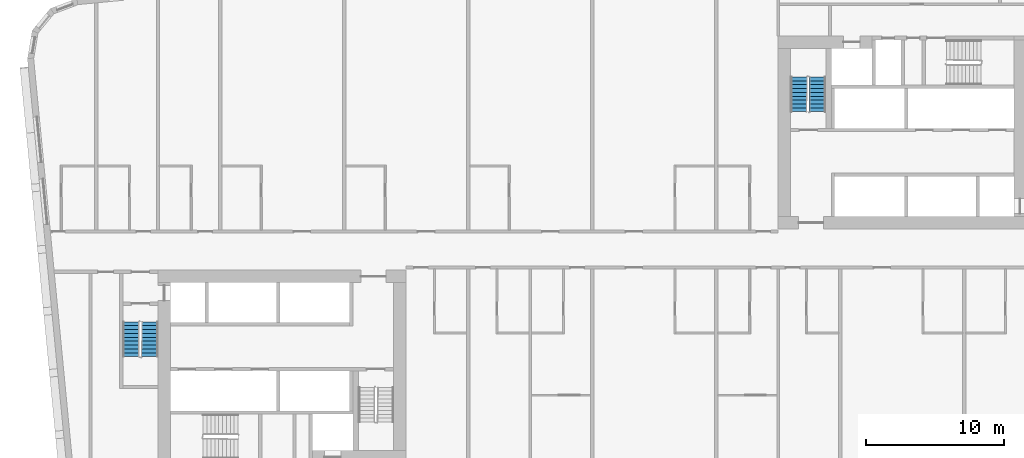
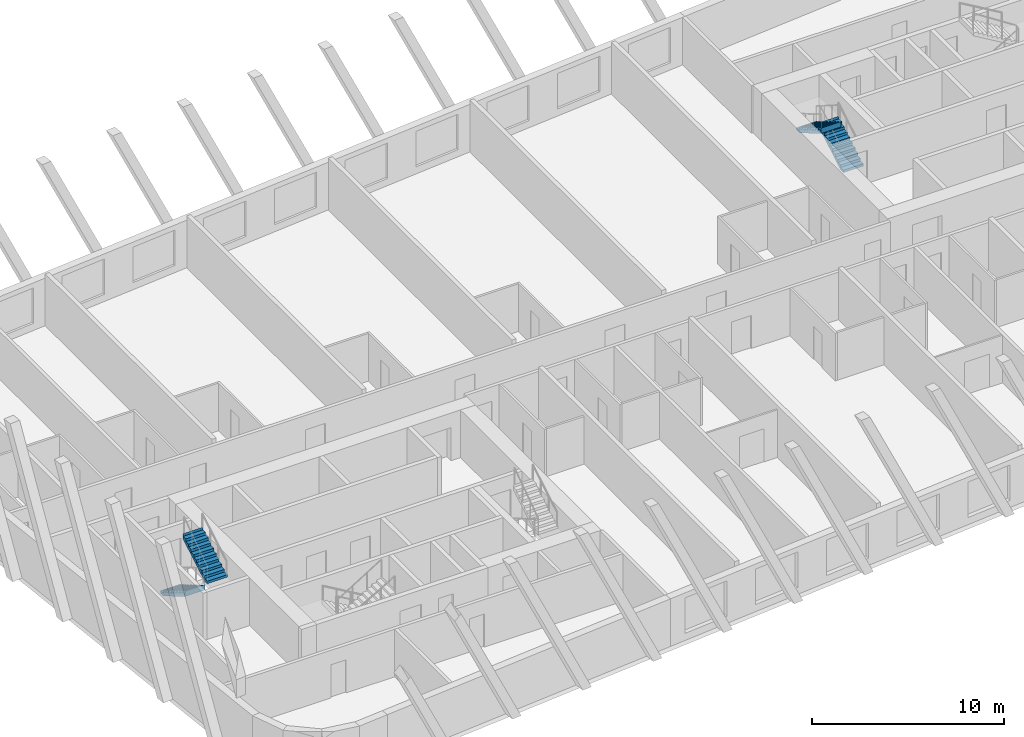
# One storey, part 10 of 13: 4 stair flights, 2 elements without a shape of their own.
"""IFC4 building model written with IfcOpenShell, lengths in metres."""

from ifc_helpers import new_model, si_unit, direction, frame, origin, place, context, subcontext, project, spatial, faceted_brep, material, type_object, element, aggregate, save


model = new_model("IFC4")

# Units and contexts
model_context = context("Model", 3, precision=1e-05, world=origin(), true_north=direction((0.0, 1.0)))
body_context = subcontext(model_context, "Body", "Model", "MODEL_VIEW")
ifc_project = project(units=[si_unit("LENGTHUNIT", "METRE"), si_unit("AREAUNIT", "SQUARE_METRE"), si_unit("VOLUMEUNIT", "CUBIC_METRE"), si_unit("PLANEANGLEUNIT", "RADIAN"), si_unit("MASSUNIT", "GRAM", prefix="KILO")], contexts=[model_context])

# Site, building, storey
site_placement = place(None, origin())
site = spatial("IfcSite", under=ifc_project, at=site_placement, CompositionType="ELEMENT")
building_placement = place(site_placement, origin())
building = spatial("IfcBuilding", under=site, at=building_placement, Name="Kajstack Hotel Tower", CompositionType="ELEMENT")
storey_placement = place(building_placement, frame((0.0, 0.0, 110.800048828125)))
storey = spatial("IfcBuildingStorey", under=building, at=storey_placement, Name="L23", CompositionType="ELEMENT", Elevation=110.800048828125)

# Stair, stair flights
ifc_material = material(Name="Concrete C40/50", Category="concrete")
stair_type = type_object("IfcStairType", Name="Exit stair 1200", PredefinedType="HALF_TURN_STAIR", material=ifc_material)
stair_1_placement = place(storey_placement, origin())
stair_1 = element("IfcStair", 1, at=stair_1_placement, inside=storey, type_object=stair_type, Name="L23 stair W1", PredefinedType="HALF_TURN_STAIR")
stair_flight_type = type_object("IfcStairFlightType", Name="Exit stair flight 1200", PredefinedType="STRAIGHT", material=ifc_material)
stair_flight_1_placement = place(storey_placement, frame((-33.449951171875, -5.25, 0.0), z_axis=(0.0, 0.0, 1.0), x_axis=(0.0, -1.0, 0.0)))
stair_flight_1 = element("IfcStairFlight", 2, at=stair_flight_1_placement, type_object=stair_flight_type, Name="W1 flight 1", NumberOfRisers=10, NumberOfTreads=9, PredefinedType="STRAIGHT", RiserHeight=0.165, TreadLength=0.28, context=body_context, shape_type="Brep", body=[
    faceted_brep([(0.295654296875, -0.60009765625, 0.0), (2.5205078125, -0.60009765625, 1.31103515625), (2.5205078125, -0.60009765625, 1.64990234375), (2.52001953125, -0.60009765625, 1.64990234375), (2.52001953125, -0.60009765625, 1.485107421875), (2.239990234375, -0.60009765625, 1.485107421875), (2.239990234375, -0.60009765625, 1.320068359375), (1.9599609375, -0.60009765625, 1.320068359375), (1.9599609375, -0.60009765625, 1.155029296875), (1.679931640625, -0.60009765625, 1.155029296875), (1.679931640625, -0.60009765625, 0.989990234375), (1.39990234375, -0.60009765625, 0.989990234375), (1.39990234375, -0.60009765625, 0.824951171875), (1.1201171875, -0.60009765625, 0.824951171875), (1.1201171875, -0.60009765625, 0.659912109375), (0.840087890625, -0.60009765625, 0.659912109375), (0.840087890625, -0.60009765625, 0.4951171875), (0.56005859375, -0.60009765625, 0.4951171875), (0.56005859375, -0.60009765625, 0.330078125), (0.280029296875, -0.60009765625, 0.330078125), (0.280029296875, -0.60009765625, 0.1650390625), (-0.00048828125, -0.60009765625, 0.1650390625), (-0.00048828125, -0.60009765625, 0.0), (-0.00048828125, 0.60009765625, 0.0), (-0.00048828125, 0.60009765625, 0.1650390625), (0.280029296875, 0.60009765625, 0.1650390625), (0.280029296875, 0.60009765625, 0.330078125), (0.56005859375, 0.60009765625, 0.330078125), (0.56005859375, 0.60009765625, 0.4951171875), (0.840087890625, 0.60009765625, 0.4951171875), (0.840087890625, 0.60009765625, 0.659912109375), (1.1201171875, 0.60009765625, 0.659912109375), (1.1201171875, 0.60009765625, 0.824951171875), (1.39990234375, 0.60009765625, 0.824951171875), (1.39990234375, 0.60009765625, 0.989990234375), (1.679931640625, 0.60009765625, 0.989990234375), (1.679931640625, 0.60009765625, 1.155029296875), (1.9599609375, 0.60009765625, 1.155029296875), (1.9599609375, 0.60009765625, 1.320068359375), (2.239990234375, 0.60009765625, 1.320068359375), (2.239990234375, 0.60009765625, 1.485107421875), (2.52001953125, 0.60009765625, 1.485107421875), (2.52001953125, 0.60009765625, 1.64990234375), (2.5205078125, 0.60009765625, 1.64990234375), (2.5205078125, 0.60009765625, 1.31103515625), (0.295654296875, 0.60009765625, 0.0), (-0.00048828125, -0.300048828125, 0.1650390625), (-0.00048828125, 0.0, 0.1650390625), (-0.00048828125, 0.300048828125, 0.1650390625), (-0.00048828125, 0.300048828125, 0.0), (-0.00048828125, 0.0, 0.0), (-0.00048828125, -0.300048828125, 0.0), (0.280029296875, -0.300048828125, 0.1650390625), (0.280029296875, 0.0, 0.1650390625), (0.280029296875, 0.300048828125, 0.1650390625), (0.280029296875, -0.300048828125, 0.330078125), (0.280029296875, 0.0, 0.330078125), (0.280029296875, 0.300048828125, 0.330078125), (0.56005859375, -0.300048828125, 0.330078125), (0.56005859375, 0.0, 0.330078125), (0.56005859375, 0.300048828125, 0.330078125), (0.56005859375, -0.300048828125, 0.4951171875), (0.56005859375, 0.0, 0.4951171875), (0.56005859375, 0.300048828125, 0.4951171875), (0.840087890625, -0.300048828125, 0.4951171875), (0.840087890625, 0.0, 0.4951171875), (0.840087890625, 0.300048828125, 0.4951171875), (0.840087890625, -0.300048828125, 0.659912109375), (0.840087890625, 0.0, 0.659912109375), (0.840087890625, 0.300048828125, 0.659912109375), (1.1201171875, -0.300048828125, 0.659912109375), (1.1201171875, 0.0, 0.659912109375), (1.1201171875, 0.300048828125, 0.659912109375), (1.1201171875, -0.300048828125, 0.824951171875), (1.1201171875, 0.0, 0.824951171875), (1.1201171875, 0.300048828125, 0.824951171875), (1.39990234375, -0.300048828125, 0.824951171875), (1.39990234375, 0.0, 0.824951171875), (1.39990234375, 0.300048828125, 0.824951171875), (1.39990234375, -0.300048828125, 0.989990234375), (1.39990234375, 0.0, 0.989990234375), (1.39990234375, 0.300048828125, 0.989990234375), (1.679931640625, -0.300048828125, 0.989990234375), (1.679931640625, 0.0, 0.989990234375), (1.679931640625, 0.300048828125, 0.989990234375), (1.679931640625, -0.300048828125, 1.155029296875), (1.679931640625, 0.0, 1.155029296875), (1.679931640625, 0.300048828125, 1.155029296875), (1.9599609375, -0.300048828125, 1.155029296875), (1.9599609375, 0.0, 1.155029296875), (1.9599609375, 0.300048828125, 1.155029296875), (1.9599609375, -0.300048828125, 1.320068359375), (1.9599609375, 0.0, 1.320068359375), (1.9599609375, 0.300048828125, 1.320068359375), (2.239990234375, -0.300048828125, 1.320068359375), (2.239990234375, 0.0, 1.320068359375), (2.239990234375, 0.300048828125, 1.320068359375), (2.239990234375, -0.300048828125, 1.485107421875), (2.239990234375, 0.0, 1.485107421875), (2.239990234375, 0.300048828125, 1.485107421875), (2.52001953125, -0.300048828125, 1.485107421875), (2.52001953125, 0.0, 1.485107421875), (2.52001953125, 0.300048828125, 1.485107421875), (2.52001953125, -0.300048828125, 1.64990234375), (2.52001953125, 0.0, 1.64990234375), (2.52001953125, 0.300048828125, 1.64990234375), (2.5205078125, -0.300048828125, 1.64990234375), (2.5205078125, 0.0, 1.64990234375), (2.5205078125, 0.300048828125, 1.64990234375), (2.5205078125, -0.300048828125, 1.31103515625), (2.5205078125, 0.0, 1.31103515625), (2.5205078125, 0.300048828125, 1.31103515625), (0.295654296875, -0.300048828125, 0.0), (0.295654296875, 0.0, 0.0), (0.295654296875, 0.300048828125, 0.0)], [[[0, 1, 2, 3, 4, 5, 6, 7, 8, 9, 10, 11, 12, 13, 14, 15, 16, 17, 18, 19, 20, 21, 22]], [[23, 24, 25, 26, 27, 28, 29, 30, 31, 32, 33, 34, 35, 36, 37, 38, 39, 40, 41, 42, 43, 44, 45]], [[21, 46, 47, 48, 24, 23, 49, 50, 51, 22]], [[20, 52, 53, 54, 25, 24, 48, 47, 46, 21]], [[19, 55, 56, 57, 26, 25, 54, 53, 52, 20]], [[18, 58, 59, 60, 27, 26, 57, 56, 55, 19]], [[17, 61, 62, 63, 28, 27, 60, 59, 58, 18]], [[16, 64, 65, 66, 29, 28, 63, 62, 61, 17]], [[15, 67, 68, 69, 30, 29, 66, 65, 64, 16]], [[14, 70, 71, 72, 31, 30, 69, 68, 67, 15]], [[13, 73, 74, 75, 32, 31, 72, 71, 70, 14]], [[12, 76, 77, 78, 33, 32, 75, 74, 73, 13]], [[11, 79, 80, 81, 34, 33, 78, 77, 76, 12]], [[10, 82, 83, 84, 35, 34, 81, 80, 79, 11]], [[9, 85, 86, 87, 36, 35, 84, 83, 82, 10]], [[8, 88, 89, 90, 37, 36, 87, 86, 85, 9]], [[7, 91, 92, 93, 38, 37, 90, 89, 88, 8]], [[6, 94, 95, 96, 39, 38, 93, 92, 91, 7]], [[5, 97, 98, 99, 40, 39, 96, 95, 94, 6]], [[4, 100, 101, 102, 41, 40, 99, 98, 97, 5]], [[3, 103, 104, 105, 42, 41, 102, 101, 100, 4]], [[2, 106, 107, 108, 43, 42, 105, 104, 103, 3]], [[1, 109, 110, 111, 44, 43, 108, 107, 106, 2]], [[0, 112, 113, 114, 45, 44, 111, 110, 109, 1]], [[22, 51, 50, 49, 23, 45, 114, 113, 112, 0]]]),
])
stair_flight_2_placement = place(storey_placement, frame((-32.10009765625, -7.77001953125, 1.64990234375), z_axis=(0.0, 0.0, 1.0), x_axis=(0.0, 1.0, 0.0)))
stair_flight_2 = element("IfcStairFlight", 3, at=stair_flight_2_placement, type_object=stair_flight_type, Name="W1 flight 2", NumberOfRisers=10, NumberOfTreads=9, PredefinedType="STRAIGHT", RiserHeight=0.165, TreadLength=0.28, context=body_context, shape_type="Brep", body=[
    faceted_brep([(0.295654296875, -0.60009765625, 0.0), (2.5205078125, -0.60009765625, 1.31103515625), (2.5205078125, -0.60009765625, 1.64990234375), (2.52001953125, -0.60009765625, 1.64990234375), (2.52001953125, -0.60009765625, 1.485107421875), (2.239990234375, -0.60009765625, 1.485107421875), (2.239990234375, -0.60009765625, 1.320068359375), (1.9599609375, -0.60009765625, 1.320068359375), (1.9599609375, -0.60009765625, 1.155029296875), (1.679931640625, -0.60009765625, 1.155029296875), (1.679931640625, -0.60009765625, 0.989990234375), (1.39990234375, -0.60009765625, 0.989990234375), (1.39990234375, -0.60009765625, 0.824951171875), (1.1201171875, -0.60009765625, 0.824951171875), (1.1201171875, -0.60009765625, 0.659912109375), (0.840087890625, -0.60009765625, 0.659912109375), (0.840087890625, -0.60009765625, 0.4951171875), (0.56005859375, -0.60009765625, 0.4951171875), (0.56005859375, -0.60009765625, 0.330078125), (0.280029296875, -0.60009765625, 0.330078125), (0.280029296875, -0.60009765625, 0.1650390625), (-0.00048828125, -0.60009765625, 0.1650390625), (-0.00048828125, -0.60009765625, 0.0), (-0.00048828125, 0.60009765625, 0.0), (-0.00048828125, 0.60009765625, 0.1650390625), (0.280029296875, 0.60009765625, 0.1650390625), (0.280029296875, 0.60009765625, 0.330078125), (0.56005859375, 0.60009765625, 0.330078125), (0.56005859375, 0.60009765625, 0.4951171875), (0.840087890625, 0.60009765625, 0.4951171875), (0.840087890625, 0.60009765625, 0.659912109375), (1.1201171875, 0.60009765625, 0.659912109375), (1.1201171875, 0.60009765625, 0.824951171875), (1.39990234375, 0.60009765625, 0.824951171875), (1.39990234375, 0.60009765625, 0.989990234375), (1.679931640625, 0.60009765625, 0.989990234375), (1.679931640625, 0.60009765625, 1.155029296875), (1.9599609375, 0.60009765625, 1.155029296875), (1.9599609375, 0.60009765625, 1.320068359375), (2.239990234375, 0.60009765625, 1.320068359375), (2.239990234375, 0.60009765625, 1.485107421875), (2.52001953125, 0.60009765625, 1.485107421875), (2.52001953125, 0.60009765625, 1.64990234375), (2.5205078125, 0.60009765625, 1.64990234375), (2.5205078125, 0.60009765625, 1.31103515625), (0.295654296875, 0.60009765625, 0.0), (-0.00048828125, -0.300048828125, 0.1650390625), (-0.00048828125, 0.0, 0.1650390625), (-0.00048828125, 0.300048828125, 0.1650390625), (-0.00048828125, 0.300048828125, 0.0), (-0.00048828125, 0.0, 0.0), (-0.00048828125, -0.300048828125, 0.0), (0.280029296875, -0.300048828125, 0.1650390625), (0.280029296875, 0.0, 0.1650390625), (0.280029296875, 0.300048828125, 0.1650390625), (0.280029296875, -0.300048828125, 0.330078125), (0.280029296875, 0.0, 0.330078125), (0.280029296875, 0.300048828125, 0.330078125), (0.56005859375, -0.300048828125, 0.330078125), (0.56005859375, 0.0, 0.330078125), (0.56005859375, 0.300048828125, 0.330078125), (0.56005859375, -0.300048828125, 0.4951171875), (0.56005859375, 0.0, 0.4951171875), (0.56005859375, 0.300048828125, 0.4951171875), (0.840087890625, -0.300048828125, 0.4951171875), (0.840087890625, 0.0, 0.4951171875), (0.840087890625, 0.300048828125, 0.4951171875), (0.840087890625, -0.300048828125, 0.659912109375), (0.840087890625, 0.0, 0.659912109375), (0.840087890625, 0.300048828125, 0.659912109375), (1.1201171875, -0.300048828125, 0.659912109375), (1.1201171875, 0.0, 0.659912109375), (1.1201171875, 0.300048828125, 0.659912109375), (1.1201171875, -0.300048828125, 0.824951171875), (1.1201171875, 0.0, 0.824951171875), (1.1201171875, 0.300048828125, 0.824951171875), (1.39990234375, -0.300048828125, 0.824951171875), (1.39990234375, 0.0, 0.824951171875), (1.39990234375, 0.300048828125, 0.824951171875), (1.39990234375, -0.300048828125, 0.989990234375), (1.39990234375, 0.0, 0.989990234375), (1.39990234375, 0.300048828125, 0.989990234375), (1.679931640625, -0.300048828125, 0.989990234375), (1.679931640625, 0.0, 0.989990234375), (1.679931640625, 0.300048828125, 0.989990234375), (1.679931640625, -0.300048828125, 1.155029296875), (1.679931640625, 0.0, 1.155029296875), (1.679931640625, 0.300048828125, 1.155029296875), (1.9599609375, -0.300048828125, 1.155029296875), (1.9599609375, 0.0, 1.155029296875), (1.9599609375, 0.300048828125, 1.155029296875), (1.9599609375, -0.300048828125, 1.320068359375), (1.9599609375, 0.0, 1.320068359375), (1.9599609375, 0.300048828125, 1.320068359375), (2.239990234375, -0.300048828125, 1.320068359375), (2.239990234375, 0.0, 1.320068359375), (2.239990234375, 0.300048828125, 1.320068359375), (2.239990234375, -0.300048828125, 1.485107421875), (2.239990234375, 0.0, 1.485107421875), (2.239990234375, 0.300048828125, 1.485107421875), (2.52001953125, -0.300048828125, 1.485107421875), (2.52001953125, 0.0, 1.485107421875), (2.52001953125, 0.300048828125, 1.485107421875), (2.52001953125, -0.300048828125, 1.64990234375), (2.52001953125, 0.0, 1.64990234375), (2.52001953125, 0.300048828125, 1.64990234375), (2.5205078125, -0.300048828125, 1.64990234375), (2.5205078125, 0.0, 1.64990234375), (2.5205078125, 0.300048828125, 1.64990234375), (2.5205078125, -0.300048828125, 1.31103515625), (2.5205078125, 0.0, 1.31103515625), (2.5205078125, 0.300048828125, 1.31103515625), (0.295654296875, -0.300048828125, 0.0), (0.295654296875, 0.0, 0.0), (0.295654296875, 0.300048828125, 0.0)], [[[0, 1, 2, 3, 4, 5, 6, 7, 8, 9, 10, 11, 12, 13, 14, 15, 16, 17, 18, 19, 20, 21, 22]], [[23, 24, 25, 26, 27, 28, 29, 30, 31, 32, 33, 34, 35, 36, 37, 38, 39, 40, 41, 42, 43, 44, 45]], [[21, 46, 47, 48, 24, 23, 49, 50, 51, 22]], [[20, 52, 53, 54, 25, 24, 48, 47, 46, 21]], [[19, 55, 56, 57, 26, 25, 54, 53, 52, 20]], [[18, 58, 59, 60, 27, 26, 57, 56, 55, 19]], [[17, 61, 62, 63, 28, 27, 60, 59, 58, 18]], [[16, 64, 65, 66, 29, 28, 63, 62, 61, 17]], [[15, 67, 68, 69, 30, 29, 66, 65, 64, 16]], [[14, 70, 71, 72, 31, 30, 69, 68, 67, 15]], [[13, 73, 74, 75, 32, 31, 72, 71, 70, 14]], [[12, 76, 77, 78, 33, 32, 75, 74, 73, 13]], [[11, 79, 80, 81, 34, 33, 78, 77, 76, 12]], [[10, 82, 83, 84, 35, 34, 81, 80, 79, 11]], [[9, 85, 86, 87, 36, 35, 84, 83, 82, 10]], [[8, 88, 89, 90, 37, 36, 87, 86, 85, 9]], [[7, 91, 92, 93, 38, 37, 90, 89, 88, 8]], [[6, 94, 95, 96, 39, 38, 93, 92, 91, 7]], [[5, 97, 98, 99, 40, 39, 96, 95, 94, 6]], [[4, 100, 101, 102, 41, 40, 99, 98, 97, 5]], [[3, 103, 104, 105, 42, 41, 102, 101, 100, 4]], [[2, 106, 107, 108, 43, 42, 105, 104, 103, 3]], [[1, 109, 110, 111, 44, 43, 108, 107, 106, 2]], [[0, 112, 113, 114, 45, 44, 111, 110, 109, 1]], [[22, 51, 50, 49, 23, 45, 114, 113, 112, 0]]]),
])
aggregate(stair_1, [stair_flight_1, stair_flight_2])

stair_2_placement = place(storey_placement, origin())
stair_2 = element("IfcStair", 4, at=stair_2_placement, inside=storey, type_object=stair_type, Name="L23 stair E2", PredefinedType="HALF_TURN_STAIR")
stair_flight_3_placement = place(storey_placement, frame((16.35009765625, 10.0, 0.0), z_axis=(0.0, 0.0, 1.0), x_axis=(0.0, 1.0, 0.0)))
stair_flight_3 = element("IfcStairFlight", 5, at=stair_flight_3_placement, type_object=stair_flight_type, Name="E2 flight 1", NumberOfRisers=10, NumberOfTreads=9, PredefinedType="STRAIGHT", RiserHeight=0.165, TreadLength=0.28, context=body_context, shape_type="Brep", body=[
    faceted_brep([(0.295654296875, -0.60009765625, 0.0), (2.5205078125, -0.60009765625, 1.31103515625), (2.5205078125, -0.60009765625, 1.64990234375), (2.52001953125, -0.60009765625, 1.64990234375), (2.52001953125, -0.60009765625, 1.485107421875), (2.239990234375, -0.60009765625, 1.485107421875), (2.239990234375, -0.60009765625, 1.320068359375), (1.9599609375, -0.60009765625, 1.320068359375), (1.9599609375, -0.60009765625, 1.155029296875), (1.679931640625, -0.60009765625, 1.155029296875), (1.679931640625, -0.60009765625, 0.989990234375), (1.39990234375, -0.60009765625, 0.989990234375), (1.39990234375, -0.60009765625, 0.824951171875), (1.1201171875, -0.60009765625, 0.824951171875), (1.1201171875, -0.60009765625, 0.659912109375), (0.840087890625, -0.60009765625, 0.659912109375), (0.840087890625, -0.60009765625, 0.4951171875), (0.56005859375, -0.60009765625, 0.4951171875), (0.56005859375, -0.60009765625, 0.330078125), (0.280029296875, -0.60009765625, 0.330078125), (0.280029296875, -0.60009765625, 0.1650390625), (-0.00048828125, -0.60009765625, 0.1650390625), (-0.00048828125, -0.60009765625, 0.0), (-0.00048828125, 0.60009765625, 0.0), (-0.00048828125, 0.60009765625, 0.1650390625), (0.280029296875, 0.60009765625, 0.1650390625), (0.280029296875, 0.60009765625, 0.330078125), (0.56005859375, 0.60009765625, 0.330078125), (0.56005859375, 0.60009765625, 0.4951171875), (0.840087890625, 0.60009765625, 0.4951171875), (0.840087890625, 0.60009765625, 0.659912109375), (1.1201171875, 0.60009765625, 0.659912109375), (1.1201171875, 0.60009765625, 0.824951171875), (1.39990234375, 0.60009765625, 0.824951171875), (1.39990234375, 0.60009765625, 0.989990234375), (1.679931640625, 0.60009765625, 0.989990234375), (1.679931640625, 0.60009765625, 1.155029296875), (1.9599609375, 0.60009765625, 1.155029296875), (1.9599609375, 0.60009765625, 1.320068359375), (2.239990234375, 0.60009765625, 1.320068359375), (2.239990234375, 0.60009765625, 1.485107421875), (2.52001953125, 0.60009765625, 1.485107421875), (2.52001953125, 0.60009765625, 1.64990234375), (2.5205078125, 0.60009765625, 1.64990234375), (2.5205078125, 0.60009765625, 1.31103515625), (0.295654296875, 0.60009765625, 0.0), (-0.00048828125, -0.300048828125, 0.1650390625), (-0.00048828125, 0.0, 0.1650390625), (-0.00048828125, 0.300048828125, 0.1650390625), (-0.00048828125, 0.300048828125, 0.0), (-0.00048828125, 0.0, 0.0), (-0.00048828125, -0.300048828125, 0.0), (0.280029296875, -0.300048828125, 0.1650390625), (0.280029296875, 0.0, 0.1650390625), (0.280029296875, 0.300048828125, 0.1650390625), (0.280029296875, -0.300048828125, 0.330078125), (0.280029296875, 0.0, 0.330078125), (0.280029296875, 0.300048828125, 0.330078125), (0.56005859375, -0.300048828125, 0.330078125), (0.56005859375, 0.0, 0.330078125), (0.56005859375, 0.300048828125, 0.330078125), (0.56005859375, -0.300048828125, 0.4951171875), (0.56005859375, 0.0, 0.4951171875), (0.56005859375, 0.300048828125, 0.4951171875), (0.840087890625, -0.300048828125, 0.4951171875), (0.840087890625, 0.0, 0.4951171875), (0.840087890625, 0.300048828125, 0.4951171875), (0.840087890625, -0.300048828125, 0.659912109375), (0.840087890625, 0.0, 0.659912109375), (0.840087890625, 0.300048828125, 0.659912109375), (1.1201171875, -0.300048828125, 0.659912109375), (1.1201171875, 0.0, 0.659912109375), (1.1201171875, 0.300048828125, 0.659912109375), (1.1201171875, -0.300048828125, 0.824951171875), (1.1201171875, 0.0, 0.824951171875), (1.1201171875, 0.300048828125, 0.824951171875), (1.39990234375, -0.300048828125, 0.824951171875), (1.39990234375, 0.0, 0.824951171875), (1.39990234375, 0.300048828125, 0.824951171875), (1.39990234375, -0.300048828125, 0.989990234375), (1.39990234375, 0.0, 0.989990234375), (1.39990234375, 0.300048828125, 0.989990234375), (1.679931640625, -0.300048828125, 0.989990234375), (1.679931640625, 0.0, 0.989990234375), (1.679931640625, 0.300048828125, 0.989990234375), (1.679931640625, -0.300048828125, 1.155029296875), (1.679931640625, 0.0, 1.155029296875), (1.679931640625, 0.300048828125, 1.155029296875), (1.9599609375, -0.300048828125, 1.155029296875), (1.9599609375, 0.0, 1.155029296875), (1.9599609375, 0.300048828125, 1.155029296875), (1.9599609375, -0.300048828125, 1.320068359375), (1.9599609375, 0.0, 1.320068359375), (1.9599609375, 0.300048828125, 1.320068359375), (2.239990234375, -0.300048828125, 1.320068359375), (2.239990234375, 0.0, 1.320068359375), (2.239990234375, 0.300048828125, 1.320068359375), (2.239990234375, -0.300048828125, 1.485107421875), (2.239990234375, 0.0, 1.485107421875), (2.239990234375, 0.300048828125, 1.485107421875), (2.52001953125, -0.300048828125, 1.485107421875), (2.52001953125, 0.0, 1.485107421875), (2.52001953125, 0.300048828125, 1.485107421875), (2.52001953125, -0.300048828125, 1.64990234375), (2.52001953125, 0.0, 1.64990234375), (2.52001953125, 0.300048828125, 1.64990234375), (2.5205078125, -0.300048828125, 1.64990234375), (2.5205078125, 0.0, 1.64990234375), (2.5205078125, 0.300048828125, 1.64990234375), (2.5205078125, -0.300048828125, 1.31103515625), (2.5205078125, 0.0, 1.31103515625), (2.5205078125, 0.300048828125, 1.31103515625), (0.295654296875, -0.300048828125, 0.0), (0.295654296875, 0.0, 0.0), (0.295654296875, 0.300048828125, 0.0)], [[[0, 1, 2, 3, 4, 5, 6, 7, 8, 9, 10, 11, 12, 13, 14, 15, 16, 17, 18, 19, 20, 21, 22]], [[23, 24, 25, 26, 27, 28, 29, 30, 31, 32, 33, 34, 35, 36, 37, 38, 39, 40, 41, 42, 43, 44, 45]], [[21, 46, 47, 48, 24, 23, 49, 50, 51, 22]], [[20, 52, 53, 54, 25, 24, 48, 47, 46, 21]], [[19, 55, 56, 57, 26, 25, 54, 53, 52, 20]], [[18, 58, 59, 60, 27, 26, 57, 56, 55, 19]], [[17, 61, 62, 63, 28, 27, 60, 59, 58, 18]], [[16, 64, 65, 66, 29, 28, 63, 62, 61, 17]], [[15, 67, 68, 69, 30, 29, 66, 65, 64, 16]], [[14, 70, 71, 72, 31, 30, 69, 68, 67, 15]], [[13, 73, 74, 75, 32, 31, 72, 71, 70, 14]], [[12, 76, 77, 78, 33, 32, 75, 74, 73, 13]], [[11, 79, 80, 81, 34, 33, 78, 77, 76, 12]], [[10, 82, 83, 84, 35, 34, 81, 80, 79, 11]], [[9, 85, 86, 87, 36, 35, 84, 83, 82, 10]], [[8, 88, 89, 90, 37, 36, 87, 86, 85, 9]], [[7, 91, 92, 93, 38, 37, 90, 89, 88, 8]], [[6, 94, 95, 96, 39, 38, 93, 92, 91, 7]], [[5, 97, 98, 99, 40, 39, 96, 95, 94, 6]], [[4, 100, 101, 102, 41, 40, 99, 98, 97, 5]], [[3, 103, 104, 105, 42, 41, 102, 101, 100, 4]], [[2, 106, 107, 108, 43, 42, 105, 104, 103, 3]], [[1, 109, 110, 111, 44, 43, 108, 107, 106, 2]], [[0, 112, 113, 114, 45, 44, 111, 110, 109, 1]], [[22, 51, 50, 49, 23, 45, 114, 113, 112, 0]]]),
])
stair_flight_4_placement = place(storey_placement, frame((15.0, 12.52001953125, 1.64990234375), z_axis=(0.0, 0.0, 1.0), x_axis=(0.0, -1.0, 0.0)))
stair_flight_4 = element("IfcStairFlight", 6, at=stair_flight_4_placement, type_object=stair_flight_type, Name="E2 flight 2", NumberOfRisers=10, NumberOfTreads=9, PredefinedType="STRAIGHT", RiserHeight=0.165, TreadLength=0.28, context=body_context, shape_type="Brep", body=[
    faceted_brep([(0.295654296875, -0.60009765625, 0.0), (2.5205078125, -0.60009765625, 1.31103515625), (2.5205078125, -0.60009765625, 1.64990234375), (2.52001953125, -0.60009765625, 1.64990234375), (2.52001953125, -0.60009765625, 1.485107421875), (2.239990234375, -0.60009765625, 1.485107421875), (2.239990234375, -0.60009765625, 1.320068359375), (1.9599609375, -0.60009765625, 1.320068359375), (1.9599609375, -0.60009765625, 1.155029296875), (1.679931640625, -0.60009765625, 1.155029296875), (1.679931640625, -0.60009765625, 0.989990234375), (1.39990234375, -0.60009765625, 0.989990234375), (1.39990234375, -0.60009765625, 0.824951171875), (1.1201171875, -0.60009765625, 0.824951171875), (1.1201171875, -0.60009765625, 0.659912109375), (0.840087890625, -0.60009765625, 0.659912109375), (0.840087890625, -0.60009765625, 0.4951171875), (0.56005859375, -0.60009765625, 0.4951171875), (0.56005859375, -0.60009765625, 0.330078125), (0.280029296875, -0.60009765625, 0.330078125), (0.280029296875, -0.60009765625, 0.1650390625), (-0.00048828125, -0.60009765625, 0.1650390625), (-0.00048828125, -0.60009765625, 0.0), (-0.00048828125, 0.60009765625, 0.0), (-0.00048828125, 0.60009765625, 0.1650390625), (0.280029296875, 0.60009765625, 0.1650390625), (0.280029296875, 0.60009765625, 0.330078125), (0.56005859375, 0.60009765625, 0.330078125), (0.56005859375, 0.60009765625, 0.4951171875), (0.840087890625, 0.60009765625, 0.4951171875), (0.840087890625, 0.60009765625, 0.659912109375), (1.1201171875, 0.60009765625, 0.659912109375), (1.1201171875, 0.60009765625, 0.824951171875), (1.39990234375, 0.60009765625, 0.824951171875), (1.39990234375, 0.60009765625, 0.989990234375), (1.679931640625, 0.60009765625, 0.989990234375), (1.679931640625, 0.60009765625, 1.155029296875), (1.9599609375, 0.60009765625, 1.155029296875), (1.9599609375, 0.60009765625, 1.320068359375), (2.239990234375, 0.60009765625, 1.320068359375), (2.239990234375, 0.60009765625, 1.485107421875), (2.52001953125, 0.60009765625, 1.485107421875), (2.52001953125, 0.60009765625, 1.64990234375), (2.5205078125, 0.60009765625, 1.64990234375), (2.5205078125, 0.60009765625, 1.31103515625), (0.295654296875, 0.60009765625, 0.0), (-0.00048828125, -0.300048828125, 0.1650390625), (-0.00048828125, 0.0, 0.1650390625), (-0.00048828125, 0.300048828125, 0.1650390625), (-0.00048828125, 0.300048828125, 0.0), (-0.00048828125, 0.0, 0.0), (-0.00048828125, -0.300048828125, 0.0), (0.280029296875, -0.300048828125, 0.1650390625), (0.280029296875, 0.0, 0.1650390625), (0.280029296875, 0.300048828125, 0.1650390625), (0.280029296875, -0.300048828125, 0.330078125), (0.280029296875, 0.0, 0.330078125), (0.280029296875, 0.300048828125, 0.330078125), (0.56005859375, -0.300048828125, 0.330078125), (0.56005859375, 0.0, 0.330078125), (0.56005859375, 0.300048828125, 0.330078125), (0.56005859375, -0.300048828125, 0.4951171875), (0.56005859375, 0.0, 0.4951171875), (0.56005859375, 0.300048828125, 0.4951171875), (0.840087890625, -0.300048828125, 0.4951171875), (0.840087890625, 0.0, 0.4951171875), (0.840087890625, 0.300048828125, 0.4951171875), (0.840087890625, -0.300048828125, 0.659912109375), (0.840087890625, 0.0, 0.659912109375), (0.840087890625, 0.300048828125, 0.659912109375), (1.1201171875, -0.300048828125, 0.659912109375), (1.1201171875, 0.0, 0.659912109375), (1.1201171875, 0.300048828125, 0.659912109375), (1.1201171875, -0.300048828125, 0.824951171875), (1.1201171875, 0.0, 0.824951171875), (1.1201171875, 0.300048828125, 0.824951171875), (1.39990234375, -0.300048828125, 0.824951171875), (1.39990234375, 0.0, 0.824951171875), (1.39990234375, 0.300048828125, 0.824951171875), (1.39990234375, -0.300048828125, 0.989990234375), (1.39990234375, 0.0, 0.989990234375), (1.39990234375, 0.300048828125, 0.989990234375), (1.679931640625, -0.300048828125, 0.989990234375), (1.679931640625, 0.0, 0.989990234375), (1.679931640625, 0.300048828125, 0.989990234375), (1.679931640625, -0.300048828125, 1.155029296875), (1.679931640625, 0.0, 1.155029296875), (1.679931640625, 0.300048828125, 1.155029296875), (1.9599609375, -0.300048828125, 1.155029296875), (1.9599609375, 0.0, 1.155029296875), (1.9599609375, 0.300048828125, 1.155029296875), (1.9599609375, -0.300048828125, 1.320068359375), (1.9599609375, 0.0, 1.320068359375), (1.9599609375, 0.300048828125, 1.320068359375), (2.239990234375, -0.300048828125, 1.320068359375), (2.239990234375, 0.0, 1.320068359375), (2.239990234375, 0.300048828125, 1.320068359375), (2.239990234375, -0.300048828125, 1.485107421875), (2.239990234375, 0.0, 1.485107421875), (2.239990234375, 0.300048828125, 1.485107421875), (2.52001953125, -0.300048828125, 1.485107421875), (2.52001953125, 0.0, 1.485107421875), (2.52001953125, 0.300048828125, 1.485107421875), (2.52001953125, -0.300048828125, 1.64990234375), (2.52001953125, 0.0, 1.64990234375), (2.52001953125, 0.300048828125, 1.64990234375), (2.5205078125, -0.300048828125, 1.64990234375), (2.5205078125, 0.0, 1.64990234375), (2.5205078125, 0.300048828125, 1.64990234375), (2.5205078125, -0.300048828125, 1.31103515625), (2.5205078125, 0.0, 1.31103515625), (2.5205078125, 0.300048828125, 1.31103515625), (0.295654296875, -0.300048828125, 0.0), (0.295654296875, 0.0, 0.0), (0.295654296875, 0.300048828125, 0.0)], [[[0, 1, 2, 3, 4, 5, 6, 7, 8, 9, 10, 11, 12, 13, 14, 15, 16, 17, 18, 19, 20, 21, 22]], [[23, 24, 25, 26, 27, 28, 29, 30, 31, 32, 33, 34, 35, 36, 37, 38, 39, 40, 41, 42, 43, 44, 45]], [[21, 46, 47, 48, 24, 23, 49, 50, 51, 22]], [[20, 52, 53, 54, 25, 24, 48, 47, 46, 21]], [[19, 55, 56, 57, 26, 25, 54, 53, 52, 20]], [[18, 58, 59, 60, 27, 26, 57, 56, 55, 19]], [[17, 61, 62, 63, 28, 27, 60, 59, 58, 18]], [[16, 64, 65, 66, 29, 28, 63, 62, 61, 17]], [[15, 67, 68, 69, 30, 29, 66, 65, 64, 16]], [[14, 70, 71, 72, 31, 30, 69, 68, 67, 15]], [[13, 73, 74, 75, 32, 31, 72, 71, 70, 14]], [[12, 76, 77, 78, 33, 32, 75, 74, 73, 13]], [[11, 79, 80, 81, 34, 33, 78, 77, 76, 12]], [[10, 82, 83, 84, 35, 34, 81, 80, 79, 11]], [[9, 85, 86, 87, 36, 35, 84, 83, 82, 10]], [[8, 88, 89, 90, 37, 36, 87, 86, 85, 9]], [[7, 91, 92, 93, 38, 37, 90, 89, 88, 8]], [[6, 94, 95, 96, 39, 38, 93, 92, 91, 7]], [[5, 97, 98, 99, 40, 39, 96, 95, 94, 6]], [[4, 100, 101, 102, 41, 40, 99, 98, 97, 5]], [[3, 103, 104, 105, 42, 41, 102, 101, 100, 4]], [[2, 106, 107, 108, 43, 42, 105, 104, 103, 3]], [[1, 109, 110, 111, 44, 43, 108, 107, 106, 2]], [[0, 112, 113, 114, 45, 44, 111, 110, 109, 1]], [[22, 51, 50, 49, 23, 45, 114, 113, 112, 0]]]),
])
aggregate(stair_2, [stair_flight_3, stair_flight_4])

save(model, "model.ifc")
